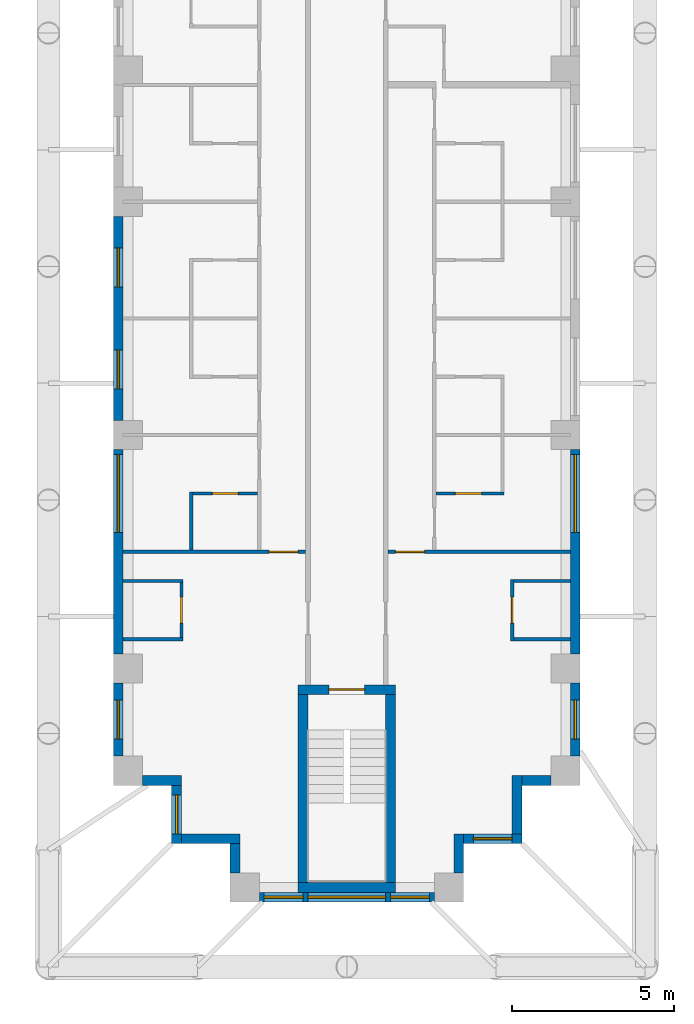
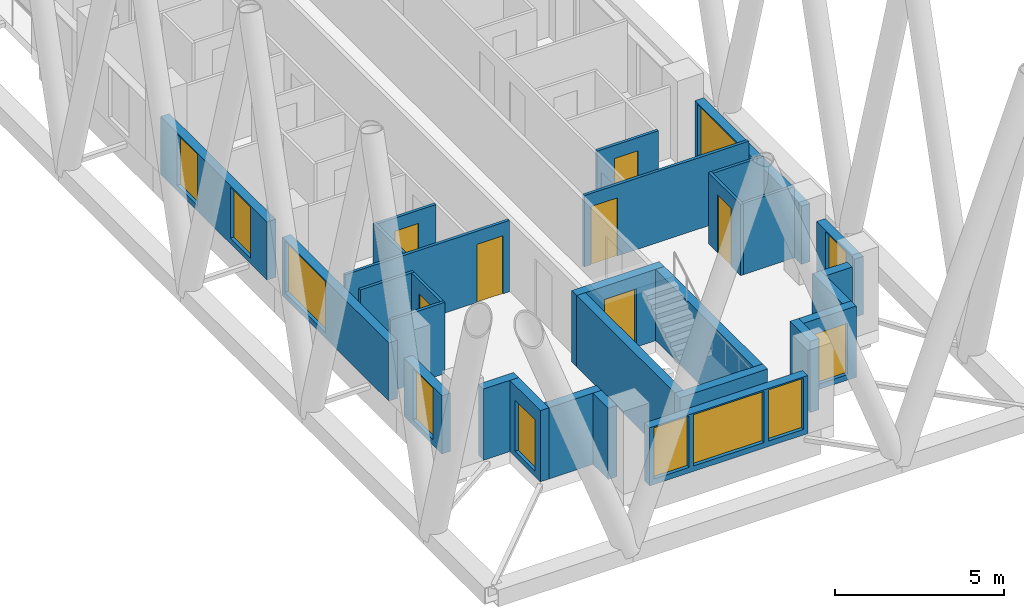
# One storey, part 4 of 16: 29 walls, 11 windows, 7 doors, 18 openings.
"""IFC4 building model written with IfcOpenShell, lengths in metres."""

from ifc_helpers import new_model, si_unit, direction, frame, frame_2d, origin, place, context, subcontext, project, spatial, rectangle, extrude, material, layer, layer_set, type_object, element, fill, save


model = new_model("IFC4")

# Units and contexts
model_context = context("Model", 3, precision=1e-05, world=origin(), true_north=direction((0.0, 1.0)))
body_context = subcontext(model_context, "Body", "Model", "MODEL_VIEW")
ifc_project = project(units=[si_unit("LENGTHUNIT", "METRE"), si_unit("AREAUNIT", "SQUARE_METRE"), si_unit("VOLUMEUNIT", "CUBIC_METRE"), si_unit("PLANEANGLEUNIT", "RADIAN"), si_unit("MASSUNIT", "GRAM", prefix="KILO")], contexts=[model_context])

# Site, building, storey
site_placement = place(None, origin())
site = spatial("IfcSite", under=ifc_project, at=site_placement, CompositionType="ELEMENT")
building_placement = place(site_placement, origin())
building = spatial("IfcBuilding", under=site, at=building_placement, Name="Fustian Cross Tower", CompositionType="ELEMENT")
storey_placement = place(building_placement, frame((0.0, 0.0, 66.89990234375)))
storey = spatial("IfcBuildingStorey", under=building, at=storey_placement, Name="L20", CompositionType="ELEMENT", Elevation=66.89990234375)

# Walls
ifc_material_1 = material(Name="Plasterboard on steel stud", Category="steel")
ifc_layer_1 = layer(ifc_material_1, 0.10009765625)
ifc_layer_set_1 = layer_set([ifc_layer_1], Name="Plasterboard on steel stud")
wall_type_1 = type_object("IfcWallType", Name="PARTITION 100 STUD", PredefinedType="PARTITIONING", material=ifc_layer_set_1)
for number, where, z_axis, x_axis, name in (
    (1, (-6.89990234375, -35.10009765625, 0.0), (0.0, 0.0, 1.0), (1.0, 0.0, 0.0), "Partition 18"),
    (2, (-6.89990234375, -33.300048828125, 0.0), (0.0, 0.0, 1.0), (1.0, 0.0, 0.0), "Partition 19"),
):
    element("IfcWall", number, at=place(storey_placement, frame(where, z_axis=z_axis, x_axis=x_axis)), inside=storey, type_object=wall_type_1, Name=name, PredefinedType="PARTITIONING", context=body_context, shape_type="SweptSolid", body=[
        extrude(rectangle(XDim=1.849853515625, YDim=0.10009765625, at=frame_2d((0.9248046875, 0.0))), origin(), (0.0, 0.0, 1.0), 2.5751953125),
    ])

# Wall, opening, door
wall_1_placement = place(storey_placement, frame((-6.89990234375, -32.39990234375, 0.0), z_axis=(0.0, 0.0, 1.0), x_axis=(1.0, 0.0, 0.0)))
wall_1 = element("IfcWall", 3, at=wall_1_placement, inside=storey, type_object=wall_type_1, Name="Partition 20", PredefinedType="PARTITIONING", context=body_context, shape_type="SweptSolid", body=[
    extrude(rectangle(XDim=5.625, YDim=0.10009765625, at=frame_2d((2.8125, 0.0))), origin(), (0.0, 0.0, 1.0), 2.5751953125),
])
opening_1_placement = place(wall_1_placement, frame((4.5, 0.0, 0.0)))
opening_1 = element("IfcOpeningElement", 4, at=opening_1_placement, cuts=wall_1, Name="Opening D11060", PredefinedType="OPENING", context=body_context, shape_type="SweptSolid", body=[
    extrude(rectangle(XDim=0.89990234375, YDim=2.10009765625, at=frame_2d((0.449951171875, 1.050048828125))), frame((0.0, 0.06005859375, 0.0), z_axis=(0.0, -1.0, 0.0), x_axis=(1.0, 0.0, 0.0)), (0.0, 0.0, 1.0), 0.1201171875),
])
ifc_material_2 = material(Name="Painted timber", Category="wood")
door_type_1 = type_object("IfcDoorType", Name="SWING DOOR 900", OperationType="SINGLE_SWING_LEFT", PredefinedType="DOOR", material=ifc_material_2)
door_1_placement = place(opening_1_placement, origin())
door_1 = element("IfcDoor", 5, at=door_1_placement, inside=storey, type_object=door_type_1, Name="Door D11060", OperationType="SINGLE_SWING_LEFT", OverallHeight=2.10009765625, OverallWidth=0.89990234375, PredefinedType="DOOR", context=body_context, shape_type="SweptSolid", body=[
    extrude(rectangle(XDim=0.89990234375, YDim=2.10009765625, at=frame_2d((0.449951171875, 1.050048828125))), frame((0.0, 0.02490234375, 0.0), z_axis=(0.0, -1.0, 0.0), x_axis=(1.0, 0.0, 0.0)), (0.0, 0.0, 1.0), 0.050048828125),
])
fill(opening_1, door_1)

wall_2_placement = place(storey_placement, frame((-5.10009765625, -35.050048828125, 0.0), z_axis=(0.0, 0.0, 1.0), x_axis=(0.0, 1.0, 0.0)))
wall_2 = element("IfcWall", 6, at=wall_2_placement, inside=storey, type_object=wall_type_1, Name="Partition 28", PredefinedType="PARTITIONING", context=body_context, shape_type="SweptSolid", body=[
    extrude(rectangle(XDim=1.699951171875, YDim=0.10009765625, at=frame_2d((0.85009765625, 0.0))), origin(), (0.0, 0.0, 1.0), 2.5751953125),
])
opening_2_placement = place(wall_2_placement, frame((0.449951171875, 0.0, 0.0)))
opening_2 = element("IfcOpeningElement", 7, at=opening_2_placement, cuts=wall_2, Name="Opening D11053", PredefinedType="OPENING", context=body_context, shape_type="SweptSolid", body=[
    extrude(rectangle(XDim=0.800048828125, YDim=2.10009765625, at=frame_2d((0.39990234375, 1.050048828125))), frame((0.0, 0.06005859375, 0.0), z_axis=(0.0, -1.0, 0.0), x_axis=(1.0, 0.0, 0.0)), (0.0, 0.0, 1.0), 0.1201171875),
])
ifc_material_3 = material(Name="Painted timber", Category="wood")
door_type_2 = type_object("IfcDoorType", Name="SWING DOOR 800", OperationType="SINGLE_SWING_LEFT", PredefinedType="DOOR", material=ifc_material_3)
door_2_placement = place(opening_2_placement, origin())
door_2 = element("IfcDoor", 8, at=door_2_placement, inside=storey, type_object=door_type_2, Name="Door D11053", OperationType="SINGLE_SWING_RIGHT", OverallHeight=2.10009765625, OverallWidth=0.800048828125, PredefinedType="DOOR", context=body_context, shape_type="SweptSolid", body=[
    extrude(rectangle(XDim=0.800048828125, YDim=2.10009765625, at=frame_2d((0.39990234375, 1.050048828125))), frame((0.0, 0.02490234375, 0.0), z_axis=(0.0, -1.0, 0.0), x_axis=(1.0, 0.0, 0.0)), (0.0, 0.0, 1.0), 0.050048828125),
])
fill(opening_2, door_2)

# Wall
wall_3_placement = place(storey_placement, frame((-4.800048828125, -32.35009765625, 0.0), z_axis=(0.0, 0.0, 1.0), x_axis=(0.0, 1.0, 0.0)))
element("IfcWall", 9, at=wall_3_placement, inside=storey, type_object=wall_type_1, Name="Partition 29", PredefinedType="PARTITIONING", context=body_context, shape_type="SweptSolid", body=[
    extrude(rectangle(XDim=1.800048828125, YDim=0.10009765625, at=frame_2d((0.89990234375, 0.0))), origin(), (0.0, 0.0, 1.0), 2.5751953125),
])

# Wall, opening, door
wall_4_placement = place(storey_placement, frame((-4.75, -30.60009765625, 0.0), z_axis=(0.0, 0.0, 1.0), x_axis=(1.0, 0.0, 0.0)))
wall_4 = element("IfcWall", 10, at=wall_4_placement, inside=storey, type_object=wall_type_1, Name="Partition 30", PredefinedType="PARTITIONING", context=body_context, shape_type="SweptSolid", body=[
    extrude(rectangle(XDim=2.0, YDim=0.10009765625, at=frame_2d((1.0, 0.0))), origin(), (0.0, 0.0, 1.0), 2.5751953125),
])
opening_3_placement = place(wall_4_placement, frame((0.60009765625, 0.0, 0.0)))
opening_3 = element("IfcOpeningElement", 11, at=opening_3_placement, cuts=wall_4, Name="Opening D11065", PredefinedType="OPENING", context=body_context, shape_type="SweptSolid", body=[
    extrude(rectangle(XDim=0.800048828125, YDim=2.10009765625, at=frame_2d((0.39990234375, 1.050048828125))), frame((0.0, 0.06005859375, 0.0), z_axis=(0.0, -1.0, 0.0), x_axis=(1.0, 0.0, 0.0)), (0.0, 0.0, 1.0), 0.1201171875),
])
door_3_placement = place(opening_3_placement, frame((0.800048828125, 0.0, 0.0), z_axis=(0.0, 0.0, 1.0), x_axis=(-1.0, 0.0, 0.0)))
door_3 = element("IfcDoor", 12, at=door_3_placement, inside=storey, type_object=door_type_2, Name="Door D11065", OperationType="SINGLE_SWING_RIGHT", OverallHeight=2.10009765625, OverallWidth=0.800048828125, PredefinedType="DOOR", context=body_context, shape_type="SweptSolid", body=[
    extrude(rectangle(XDim=0.800048828125, YDim=2.10009765625, at=frame_2d((0.39990234375, 1.050048828125))), frame((0.0, 0.02490234375, 0.0), z_axis=(0.0, -1.0, 0.0), x_axis=(1.0, 0.0, 0.0)), (0.0, 0.0, 1.0), 0.050048828125),
])
fill(opening_3, door_3)

wall_5_placement = place(storey_placement, frame((1.27490234375, -32.39990234375, 0.0), z_axis=(0.0, 0.0, 1.0), x_axis=(1.0, 0.0, 0.0)))
wall_5 = element("IfcWall", 13, at=wall_5_placement, inside=storey, type_object=wall_type_1, Name="Partition 53", PredefinedType="PARTITIONING", context=body_context, shape_type="SweptSolid", body=[
    extrude(rectangle(XDim=5.625, YDim=0.10009765625, at=frame_2d((2.8125, 0.0))), origin(), (0.0, 0.0, 1.0), 2.5751953125),
])
opening_4_placement = place(wall_5_placement, frame((0.22509765625, 0.0, 0.0)))
opening_4 = element("IfcOpeningElement", 14, at=opening_4_placement, cuts=wall_5, Name="Opening D11042", PredefinedType="OPENING", context=body_context, shape_type="SweptSolid", body=[
    extrude(rectangle(XDim=0.89990234375, YDim=2.10009765625, at=frame_2d((0.449951171875, 1.050048828125))), frame((0.0, 0.06005859375, 0.0), z_axis=(0.0, -1.0, 0.0), x_axis=(1.0, 0.0, 0.0)), (0.0, 0.0, 1.0), 0.1201171875),
])
door_4_placement = place(opening_4_placement, origin())
door_4 = element("IfcDoor", 15, at=door_4_placement, inside=storey, type_object=door_type_1, Name="Door D11042", OperationType="SINGLE_SWING_LEFT", OverallHeight=2.10009765625, OverallWidth=0.89990234375, PredefinedType="DOOR", context=body_context, shape_type="SweptSolid", body=[
    extrude(rectangle(XDim=0.89990234375, YDim=2.10009765625, at=frame_2d((0.449951171875, 1.050048828125))), frame((0.0, 0.02490234375, 0.0), z_axis=(0.0, -1.0, 0.0), x_axis=(1.0, 0.0, 0.0)), (0.0, 0.0, 1.0), 0.050048828125),
])
fill(opening_4, door_4)

wall_6_placement = place(storey_placement, frame((2.75, -30.60009765625, 0.0), z_axis=(0.0, 0.0, 1.0), x_axis=(1.0, 0.0, 0.0)))
wall_6 = element("IfcWall", 16, at=wall_6_placement, inside=storey, type_object=wall_type_1, Name="Partition 68", PredefinedType="PARTITIONING", context=body_context, shape_type="SweptSolid", body=[
    extrude(rectangle(XDim=2.10009765625, YDim=0.10009765625, at=frame_2d((1.050048828125, 0.0))), origin(), (0.0, 0.0, 1.0), 2.5751953125),
])
opening_5_placement = place(wall_6_placement, frame((0.60009765625, 0.0, 0.0)))
opening_5 = element("IfcOpeningElement", 17, at=opening_5_placement, cuts=wall_6, Name="Opening D11050", PredefinedType="OPENING", context=body_context, shape_type="SweptSolid", body=[
    extrude(rectangle(XDim=0.800048828125, YDim=2.10009765625, at=frame_2d((0.39990234375, 1.050048828125))), frame((0.0, 0.06005859375, 0.0), z_axis=(0.0, -1.0, 0.0), x_axis=(1.0, 0.0, 0.0)), (0.0, 0.0, 1.0), 0.1201171875),
])
door_5_placement = place(opening_5_placement, origin())
door_5 = element("IfcDoor", 18, at=door_5_placement, inside=storey, type_object=door_type_2, Name="Door D11050", OperationType="SINGLE_SWING_LEFT", OverallHeight=2.10009765625, OverallWidth=0.800048828125, PredefinedType="DOOR", context=body_context, shape_type="SweptSolid", body=[
    extrude(rectangle(XDim=0.800048828125, YDim=2.10009765625, at=frame_2d((0.39990234375, 1.050048828125))), frame((0.0, 0.02490234375, 0.0), z_axis=(0.0, -1.0, 0.0), x_axis=(1.0, 0.0, 0.0)), (0.0, 0.0, 1.0), 0.050048828125),
])
fill(opening_5, door_5)

wall_7_placement = place(storey_placement, frame((5.10009765625, -35.14990234375, 0.0), z_axis=(0.0, 0.0, 1.0), x_axis=(0.0, 1.0, 0.0)))
wall_7 = element("IfcWall", 19, at=wall_7_placement, inside=storey, type_object=wall_type_1, Name="Partition 80", PredefinedType="PARTITIONING", context=body_context, shape_type="SweptSolid", body=[
    extrude(rectangle(XDim=1.89990234375, YDim=0.10009765625, at=frame_2d((0.949951171875, 0.0))), origin(), (0.0, 0.0, 1.0), 2.5751953125),
])
opening_6_placement = place(wall_7_placement, frame((0.550048828125, 0.0, 0.0)))
opening_6 = element("IfcOpeningElement", 20, at=opening_6_placement, cuts=wall_7, Name="Opening D11040", PredefinedType="OPENING", context=body_context, shape_type="SweptSolid", body=[
    extrude(rectangle(XDim=0.800048828125, YDim=2.10009765625, at=frame_2d((0.39990234375, 1.050048828125))), frame((0.0, 0.06005859375, 0.0), z_axis=(0.0, -1.0, 0.0), x_axis=(1.0, 0.0, 0.0)), (0.0, 0.0, 1.0), 0.1201171875),
])
door_6_placement = place(opening_6_placement, frame((0.800048828125, 0.0, 0.0), z_axis=(0.0, 0.0, 1.0), x_axis=(-1.0, 0.0, 0.0)))
door_6 = element("IfcDoor", 21, at=door_6_placement, inside=storey, type_object=door_type_2, Name="Door D11040", OperationType="SINGLE_SWING_LEFT", OverallHeight=2.10009765625, OverallWidth=0.800048828125, PredefinedType="DOOR", context=body_context, shape_type="SweptSolid", body=[
    extrude(rectangle(XDim=0.800048828125, YDim=2.10009765625, at=frame_2d((0.39990234375, 1.050048828125))), frame((0.0, 0.02490234375, 0.0), z_axis=(0.0, -1.0, 0.0), x_axis=(1.0, 0.0, 0.0)), (0.0, 0.0, 1.0), 0.050048828125),
])
fill(opening_6, door_6)

# Walls
for number, where, z_axis, x_axis, name in (
    (22, (5.14990234375, -35.10009765625, 0.0), (0.0, 0.0, 1.0), (1.0, 0.0, 0.0), "Partition 81"),
    (23, (5.14990234375, -33.300048828125, 0.0), (0.0, 0.0, 1.0), (1.0, 0.0, 0.0), "Partition 82"),
):
    element("IfcWall", number, at=place(storey_placement, frame(where, z_axis=z_axis, x_axis=x_axis)), inside=storey, type_object=wall_type_1, Name=name, PredefinedType="PARTITIONING", context=body_context, shape_type="SweptSolid", body=[
        extrude(rectangle(XDim=1.75, YDim=0.10009765625, at=frame_2d((0.875, 0.0))), origin(), (0.0, 0.0, 1.0), 2.5751953125),
    ])

# Wall, opening, door
ifc_material_4 = material(Name="Concrete C50/60", Category="concrete")
ifc_layer_2 = layer(ifc_material_4, 0.300048828125)
ifc_layer_set_2 = layer_set([ifc_layer_2], Name="Concrete C50/60")
wall_type_2 = type_object("IfcWallType", Name="STAIR ENCLOSURE WALL 300 C50/60", PredefinedType="SHEAR", material=ifc_layer_set_2)
wall_8_placement = place(storey_placement, frame((-1.5, -36.64990234375, 0.0), z_axis=(0.0, 0.0, 1.0), x_axis=(1.0, 0.0, 0.0)))
wall_8 = element("IfcWall", 24, at=wall_8_placement, inside=storey, type_object=wall_type_2, Name="Stair enclosure wall", PredefinedType="SHEAR", context=body_context, shape_type="SweptSolid", body=[
    extrude(rectangle(XDim=3.0, YDim=0.300048828125, at=frame_2d((1.5, 0.0))), origin(), (0.0, 0.0, 1.0), 2.5751953125),
])
opening_7_placement = place(wall_8_placement, frame((0.949951171875, 0.0, 0.0)))
opening_7 = element("IfcOpeningElement", 25, at=opening_7_placement, cuts=wall_8, Name="Opening CD-09-29", PredefinedType="OPENING", context=body_context, shape_type="SweptSolid", body=[
    extrude(rectangle(XDim=1.10009765625, YDim=2.10009765625, at=frame_2d((0.550048828125, 1.050048828125))), frame((0.0, 0.159912109375, 0.0), z_axis=(0.0, -1.0, 0.0), x_axis=(1.0, 0.0, 0.0)), (0.0, 0.0, 1.0), 0.320068359375),
])
ifc_material_5 = material(Name="Steel", Category="steel")
door_type_3 = type_object("IfcDoorType", Name="FIRE DOOR FD60S 1100X2100", OperationType="SINGLE_SWING_LEFT", PredefinedType="DOOR", material=ifc_material_5)
door_7_placement = place(opening_7_placement, frame((1.10009765625, 0.0, 0.0), z_axis=(0.0, 0.0, 1.0), x_axis=(-1.0, 0.0, 0.0)))
door_7 = element("IfcDoor", 26, at=door_7_placement, inside=storey, type_object=door_type_3, Name="Core door CD-09-29", OperationType="SINGLE_SWING_RIGHT", OverallHeight=2.10009765625, OverallWidth=1.10009765625, PredefinedType="DOOR", context=body_context, shape_type="SweptSolid", body=[
    extrude(rectangle(XDim=1.10009765625, YDim=2.10009765625, at=frame_2d((0.550048828125, 1.050048828125))), frame((0.0, 0.02490234375, 0.0), z_axis=(0.0, -1.0, 0.0), x_axis=(1.0, 0.0, 0.0)), (0.0, 0.0, 1.0), 0.050048828125),
])
fill(opening_7, door_7)

# Walls
wall_9_placement = place(storey_placement, frame((-1.5, -42.75, 0.0), z_axis=(0.0, 0.0, 1.0), x_axis=(1.0, 0.0, 0.0)))
element("IfcWall", 27, at=wall_9_placement, inside=storey, type_object=wall_type_2, Name="Stair enclosure wall", PredefinedType="SHEAR", context=body_context, shape_type="SweptSolid", body=[
    extrude(rectangle(XDim=3.0, YDim=0.300048828125, at=frame_2d((1.5, 0.0))), origin(), (0.0, 0.0, 1.0), 2.5751953125),
])
for number, where, z_axis, x_axis, name in (
    (28, (-1.35009765625, -36.800048828125, 0.0), (0.0, 0.0, 1.0), (0.0, -1.0, 0.0), "Stair enclosure wall"),
    (29, (1.35009765625, -36.800048828125, 0.0), (0.0, 0.0, 1.0), (0.0, -1.0, 0.0), "Stair enclosure wall"),
):
    element("IfcWall", number, at=place(storey_placement, frame(where, z_axis=z_axis, x_axis=x_axis)), inside=storey, type_object=wall_type_2, Name=name, PredefinedType="SHEAR", context=body_context, shape_type="SweptSolid", body=[
        extrude(rectangle(XDim=5.800048828125, YDim=0.300048828125, at=frame_2d((2.89990234375, 0.0))), origin(), (0.0, 0.0, 1.0), 2.5751953125),
    ])

# Wall, openings, windows
ifc_material_6 = material(Name="Dark aluminium cladding on insulated backing wall", Category="aluminium")
ifc_layer_3 = layer(ifc_material_6, 0.300048828125)
ifc_layer_set_3 = layer_set([ifc_layer_3], Name="Dark aluminium cladding on insulated backing wall")
wall_type_3 = type_object("IfcWallType", Name="XW1 EXTERNAL WALL 300", PredefinedType="SOLIDWALL", material=ifc_layer_set_3)
wall_10_placement = place(storey_placement, frame((-7.050048828125, -22.050048828125, 0.0), z_axis=(0.0, 0.0, 1.0), x_axis=(0.0, -1.0, 0.0)))
wall_10 = element("IfcWall", 30, at=wall_10_placement, inside=storey, type_object=wall_type_3, Name="External wall", PredefinedType="SOLIDWALL", context=body_context, shape_type="SweptSolid", body=[
    extrude(rectangle(XDim=6.300048828125, YDim=0.300048828125, at=frame_2d((3.14990234375, 0.0))), origin(), (0.0, 0.0, 1.0), 2.10009765625),
])
opening_8_placement = place(wall_10_placement, frame((0.97509765625, 0.0, 0.199951171875)))
opening_8 = element("IfcOpeningElement", 31, at=opening_8_placement, cuts=wall_10, Name="Opening WN3", PredefinedType="OPENING", context=body_context, shape_type="SweptSolid", body=[
    extrude(rectangle(XDim=1.199951171875, YDim=1.85009765625, at=frame_2d((0.60009765625, 0.925048828125))), frame((0.0, 0.159912109375, 0.0), z_axis=(0.0, -1.0, 0.0), x_axis=(1.0, 0.0, 0.0)), (0.0, 0.0, 1.0), 0.320068359375),
])
opening_9_placement = place(wall_10_placement, frame((4.125, 0.0, 0.199951171875)))
opening_9 = element("IfcOpeningElement", 32, at=opening_9_placement, cuts=wall_10, Name="Opening WN3", PredefinedType="OPENING", context=body_context, shape_type="SweptSolid", body=[
    extrude(rectangle(XDim=1.199951171875, YDim=1.85009765625, at=frame_2d((0.60009765625, 0.925048828125))), frame((0.0, 0.159912109375, 0.0), z_axis=(0.0, -1.0, 0.0), x_axis=(1.0, 0.0, 0.0)), (0.0, 0.0, 1.0), 0.320068359375),
])
ifc_material_7 = material(Name="Dark anodised aluminium and double glazing", Category="aluminium")
window_type_1 = type_object("IfcWindowType", Name="WN3 WINDOW 1200X1850", PartitioningType="SINGLE_PANEL", PredefinedType="WINDOW", material=ifc_material_7)
window_1_placement = place(opening_8_placement, origin())
window_1 = element("IfcWindow", 33, at=window_1_placement, inside=storey, type_object=window_type_1, Name="Window", OverallHeight=1.85009765625, OverallWidth=1.199951171875, PartitioningType="SINGLE_PANEL", PredefinedType="WINDOW", context=body_context, shape_type="SweptSolid", body=[
    extrude(rectangle(XDim=1.199951171875, YDim=1.85009765625, at=frame_2d((0.60009765625, 0.925048828125))), frame((0.0, 0.030029296875, 0.0), z_axis=(0.0, -1.0, 0.0), x_axis=(1.0, 0.0, 0.0)), (0.0, 0.0, 1.0), 0.06005859375),
])
fill(opening_8, window_1)
window_2_placement = place(opening_9_placement, origin())
window_2 = element("IfcWindow", 34, at=window_2_placement, inside=storey, type_object=window_type_1, Name="Window", OverallHeight=1.85009765625, OverallWidth=1.199951171875, PartitioningType="SINGLE_PANEL", PredefinedType="WINDOW", context=body_context, shape_type="SweptSolid", body=[
    extrude(rectangle(XDim=1.199951171875, YDim=1.85009765625, at=frame_2d((0.60009765625, 0.925048828125))), frame((0.0, 0.030029296875, 0.0), z_axis=(0.0, -1.0, 0.0), x_axis=(1.0, 0.0, 0.0)), (0.0, 0.0, 1.0), 0.06005859375),
])
fill(opening_9, window_2)

# Wall, opening, window
wall_11_placement = place(storey_placement, frame((-7.050048828125, -29.25, 0.0), z_axis=(0.0, 0.0, 1.0), x_axis=(0.0, -1.0, 0.0)))
wall_11 = element("IfcWall", 35, at=wall_11_placement, inside=storey, type_object=wall_type_3, Name="External wall", PredefinedType="SOLIDWALL", context=body_context, shape_type="SweptSolid", body=[
    extrude(rectangle(XDim=6.300048828125, YDim=0.300048828125, at=frame_2d((3.14990234375, 0.0))), origin(), (0.0, 0.0, 1.0), 2.10009765625),
])
opening_10_placement = place(wall_11_placement, frame((0.14990234375, 0.0, 0.199951171875)))
opening_10 = element("IfcOpeningElement", 36, at=opening_10_placement, cuts=wall_11, Name="Opening WN1", PredefinedType="OPENING", context=body_context, shape_type="SweptSolid", body=[
    extrude(rectangle(XDim=2.39990234375, YDim=1.85009765625, at=frame_2d((1.199951171875, 0.925048828125))), frame((0.0, 0.159912109375, 0.0), z_axis=(0.0, -1.0, 0.0), x_axis=(1.0, 0.0, 0.0)), (0.0, 0.0, 1.0), 0.320068359375),
])
ifc_material_8 = material(Name="Dark anodised aluminium and double glazing", Category="aluminium")
window_type_2 = type_object("IfcWindowType", Name="WN1 WINDOW 2400X1850", PartitioningType="SINGLE_PANEL", PredefinedType="WINDOW", material=ifc_material_8)
window_3_placement = place(opening_10_placement, origin())
window_3 = element("IfcWindow", 37, at=window_3_placement, inside=storey, type_object=window_type_2, Name="Window", OverallHeight=1.85009765625, OverallWidth=2.39990234375, PartitioningType="SINGLE_PANEL", PredefinedType="WINDOW", context=body_context, shape_type="SweptSolid", body=[
    extrude(rectangle(XDim=2.39990234375, YDim=1.85009765625, at=frame_2d((1.199951171875, 0.925048828125))), frame((0.0, 0.030029296875, 0.0), z_axis=(0.0, -1.0, 0.0), x_axis=(1.0, 0.0, 0.0)), (0.0, 0.0, 1.0), 0.06005859375),
])
fill(opening_10, window_3)

wall_12_placement = place(storey_placement, frame((-7.050048828125, -36.449951171875, 0.0), z_axis=(0.0, 0.0, 1.0), x_axis=(0.0, -1.0, 0.0)))
wall_12 = element("IfcWall", 38, at=wall_12_placement, inside=storey, type_object=wall_type_3, Name="External wall", PredefinedType="SOLIDWALL", context=body_context, shape_type="SweptSolid", body=[
    extrude(rectangle(XDim=2.25, YDim=0.300048828125, at=frame_2d((1.125, 0.0))), origin(), (0.0, 0.0, 1.0), 2.10009765625),
])
opening_11_placement = place(wall_12_placement, frame((0.52490234375, 0.0, 0.199951171875)))
opening_11 = element("IfcOpeningElement", 39, at=opening_11_placement, cuts=wall_12, Name="Opening WN3", PredefinedType="OPENING", context=body_context, shape_type="SweptSolid", body=[
    extrude(rectangle(XDim=1.199951171875, YDim=1.85009765625, at=frame_2d((0.60009765625, 0.925048828125))), frame((0.0, 0.159912109375, 0.0), z_axis=(0.0, -1.0, 0.0), x_axis=(1.0, 0.0, 0.0)), (0.0, 0.0, 1.0), 0.320068359375),
])
window_4_placement = place(opening_11_placement, origin())
window_4 = element("IfcWindow", 40, at=window_4_placement, inside=storey, type_object=window_type_1, Name="Window", OverallHeight=1.85009765625, OverallWidth=1.199951171875, PartitioningType="SINGLE_PANEL", PredefinedType="WINDOW", context=body_context, shape_type="SweptSolid", body=[
    extrude(rectangle(XDim=1.199951171875, YDim=1.85009765625, at=frame_2d((0.60009765625, 0.925048828125))), frame((0.0, 0.030029296875, 0.0), z_axis=(0.0, -1.0, 0.0), x_axis=(1.0, 0.0, 0.0)), (0.0, 0.0, 1.0), 0.06005859375),
])
fill(opening_11, window_4)

# Wall
wall_13_placement = place(storey_placement, frame((-6.300048828125, -39.449951171875, 0.0), z_axis=(0.0, 0.0, 1.0), x_axis=(1.0, 0.0, 0.0)))
element("IfcWall", 41, at=wall_13_placement, inside=storey, type_object=wall_type_3, Name="External wall", PredefinedType="SOLIDWALL", context=body_context, shape_type="SweptSolid", body=[
    extrude(rectangle(XDim=1.199951171875, YDim=0.300048828125, at=frame_2d((0.60009765625, 0.0))), origin(), (0.0, 0.0, 1.0), 2.5751953125),
])

# Wall, opening, window
wall_14_placement = place(storey_placement, frame((-5.25, -39.60009765625, 0.0), z_axis=(0.0, 0.0, 1.0), x_axis=(0.0, -1.0, 0.0)))
wall_14 = element("IfcWall", 42, at=wall_14_placement, inside=storey, type_object=wall_type_3, Name="External wall", PredefinedType="SOLIDWALL", context=body_context, shape_type="SweptSolid", body=[
    extrude(rectangle(XDim=1.7998046875, YDim=0.300048828125, at=frame_2d((0.89990234375, 0.0))), origin(), (0.0, 0.0, 1.0), 2.5751953125),
])
opening_12_placement = place(wall_14_placement, frame((0.300048828125, 0.0, 0.199951171875)))
opening_12 = element("IfcOpeningElement", 43, at=opening_12_placement, cuts=wall_14, Name="Opening WN3", PredefinedType="OPENING", context=body_context, shape_type="SweptSolid", body=[
    extrude(rectangle(XDim=1.199951171875, YDim=1.85009765625, at=frame_2d((0.60009765625, 0.925048828125))), frame((0.0, 0.159912109375, 0.0), z_axis=(0.0, -1.0, 0.0), x_axis=(1.0, 0.0, 0.0)), (0.0, 0.0, 1.0), 0.320068359375),
])
window_5_placement = place(opening_12_placement, origin())
window_5 = element("IfcWindow", 44, at=window_5_placement, inside=storey, type_object=window_type_1, Name="Window", OverallHeight=1.85009765625, OverallWidth=1.199951171875, PartitioningType="SINGLE_PANEL", PredefinedType="WINDOW", context=body_context, shape_type="SweptSolid", body=[
    extrude(rectangle(XDim=1.199951171875, YDim=1.85009765625, at=frame_2d((0.60009765625, 0.925048828125))), frame((0.0, 0.030029296875, 0.0), z_axis=(0.0, -1.0, 0.0), x_axis=(1.0, 0.0, 0.0)), (0.0, 0.0, 1.0), 0.06005859375),
])
fill(opening_12, window_5)

# Walls
wall_15_placement = place(storey_placement, frame((-5.10009765625, -41.25, 0.0), z_axis=(0.0, 0.0, 1.0), x_axis=(1.0, 0.0, 0.0)))
element("IfcWall", 45, at=wall_15_placement, inside=storey, type_object=wall_type_3, Name="External wall", PredefinedType="SOLIDWALL", context=body_context, shape_type="SweptSolid", body=[
    extrude(rectangle(XDim=1.800048828125, YDim=0.300048828125, at=frame_2d((0.89990234375, 0.0))), origin(), (0.0, 0.0, 1.0), 2.5751953125),
])
wall_16_placement = place(storey_placement, frame((-3.449951171875, -41.39990234375, 0.0), z_axis=(0.0, 0.0, 1.0), x_axis=(0.0, -1.0, 0.0)))
element("IfcWall", 46, at=wall_16_placement, inside=storey, type_object=wall_type_3, Name="External wall", PredefinedType="SOLIDWALL", context=body_context, shape_type="SweptSolid", body=[
    extrude(rectangle(XDim=0.900146484375, YDim=0.300048828125, at=frame_2d((0.4501953125, 0.0))), origin(), (0.0, 0.0, 1.0), 2.5751953125),
])

# Wall, openings, windows
wall_17_placement = place(storey_placement, frame((-2.699951171875, -43.050048828125, 0.0), z_axis=(0.0, 0.0, 1.0), x_axis=(1.0, 0.0, 0.0)))
wall_17 = element("IfcWall", 47, at=wall_17_placement, inside=storey, type_object=wall_type_3, Name="External wall", PredefinedType="SOLIDWALL", context=body_context, shape_type="SweptSolid", body=[
    extrude(rectangle(XDim=5.39990234375, YDim=0.300048828125, at=frame_2d((2.699951171875, 0.0))), origin(), (0.0, 0.0, 1.0), 2.10009765625),
])
opening_13_placement = place(wall_17_placement, frame((1.5, 0.0, 0.199951171875)))
opening_13 = element("IfcOpeningElement", 48, at=opening_13_placement, cuts=wall_17, Name="Opening WN1", PredefinedType="OPENING", context=body_context, shape_type="SweptSolid", body=[
    extrude(rectangle(XDim=2.39990234375, YDim=1.85009765625, at=frame_2d((1.199951171875, 0.925048828125))), frame((0.0, 0.159912109375, 0.0), z_axis=(0.0, -1.0, 0.0), x_axis=(1.0, 0.0, 0.0)), (0.0, 0.0, 1.0), 0.320068359375),
])
opening_14_placement = place(wall_17_placement, frame((0.14990234375, 0.0, 0.199951171875)))
opening_14 = element("IfcOpeningElement", 49, at=opening_14_placement, cuts=wall_17, Name="Opening WN3", PredefinedType="OPENING", context=body_context, shape_type="SweptSolid", body=[
    extrude(rectangle(XDim=1.199951171875, YDim=1.85009765625, at=frame_2d((0.60009765625, 0.925048828125))), frame((0.0, 0.159912109375, 0.0), z_axis=(0.0, -1.0, 0.0), x_axis=(1.0, 0.0, 0.0)), (0.0, 0.0, 1.0), 0.320068359375),
])
opening_15_placement = place(wall_17_placement, frame((4.050048828125, 0.0, 0.199951171875)))
opening_15 = element("IfcOpeningElement", 50, at=opening_15_placement, cuts=wall_17, Name="Opening WN3", PredefinedType="OPENING", context=body_context, shape_type="SweptSolid", body=[
    extrude(rectangle(XDim=1.199951171875, YDim=1.85009765625, at=frame_2d((0.60009765625, 0.925048828125))), frame((0.0, 0.159912109375, 0.0), z_axis=(0.0, -1.0, 0.0), x_axis=(1.0, 0.0, 0.0)), (0.0, 0.0, 1.0), 0.320068359375),
])
window_6_placement = place(opening_13_placement, origin())
window_6 = element("IfcWindow", 51, at=window_6_placement, inside=storey, type_object=window_type_2, Name="Window", OverallHeight=1.85009765625, OverallWidth=2.39990234375, PartitioningType="SINGLE_PANEL", PredefinedType="WINDOW", context=body_context, shape_type="SweptSolid", body=[
    extrude(rectangle(XDim=2.39990234375, YDim=1.85009765625, at=frame_2d((1.199951171875, 0.925048828125))), frame((0.0, 0.030029296875, 0.0), z_axis=(0.0, -1.0, 0.0), x_axis=(1.0, 0.0, 0.0)), (0.0, 0.0, 1.0), 0.06005859375),
])
fill(opening_13, window_6)
window_7_placement = place(opening_14_placement, origin())
window_7 = element("IfcWindow", 52, at=window_7_placement, inside=storey, type_object=window_type_1, Name="Window", OverallHeight=1.85009765625, OverallWidth=1.199951171875, PartitioningType="SINGLE_PANEL", PredefinedType="WINDOW", context=body_context, shape_type="SweptSolid", body=[
    extrude(rectangle(XDim=1.199951171875, YDim=1.85009765625, at=frame_2d((0.60009765625, 0.925048828125))), frame((0.0, 0.030029296875, 0.0), z_axis=(0.0, -1.0, 0.0), x_axis=(1.0, 0.0, 0.0)), (0.0, 0.0, 1.0), 0.06005859375),
])
fill(opening_14, window_7)
window_8_placement = place(opening_15_placement, origin())
window_8 = element("IfcWindow", 53, at=window_8_placement, inside=storey, type_object=window_type_1, Name="Window", OverallHeight=1.85009765625, OverallWidth=1.199951171875, PartitioningType="SINGLE_PANEL", PredefinedType="WINDOW", context=body_context, shape_type="SweptSolid", body=[
    extrude(rectangle(XDim=1.199951171875, YDim=1.85009765625, at=frame_2d((0.60009765625, 0.925048828125))), frame((0.0, 0.030029296875, 0.0), z_axis=(0.0, -1.0, 0.0), x_axis=(1.0, 0.0, 0.0)), (0.0, 0.0, 1.0), 0.06005859375),
])
fill(opening_15, window_8)

# Wall
wall_18_placement = place(storey_placement, frame((3.449951171875, -42.300048828125, 0.0), z_axis=(0.0, 0.0, 1.0), x_axis=(0.0, 1.0, 0.0)))
element("IfcWall", 54, at=wall_18_placement, inside=storey, type_object=wall_type_3, Name="External wall", PredefinedType="SOLIDWALL", context=body_context, shape_type="SweptSolid", body=[
    extrude(rectangle(XDim=1.199951171875, YDim=0.300048828125, at=frame_2d((0.60009765625, 0.0))), origin(), (0.0, 0.0, 1.0), 2.5751953125),
])

# Wall, opening, window
wall_19_placement = place(storey_placement, frame((3.60009765625, -41.25, 0.0), z_axis=(0.0, 0.0, 1.0), x_axis=(1.0, 0.0, 0.0)))
wall_19 = element("IfcWall", 55, at=wall_19_placement, inside=storey, type_object=wall_type_3, Name="External wall", PredefinedType="SOLIDWALL", context=body_context, shape_type="SweptSolid", body=[
    extrude(rectangle(XDim=1.7998046875, YDim=0.300048828125, at=frame_2d((0.89990234375, 0.0))), origin(), (0.0, 0.0, 1.0), 2.5751953125),
])
opening_16_placement = place(wall_19_placement, frame((0.300048828125, 0.0, 0.199951171875)))
opening_16 = element("IfcOpeningElement", 56, at=opening_16_placement, cuts=wall_19, Name="Opening WN3", PredefinedType="OPENING", context=body_context, shape_type="SweptSolid", body=[
    extrude(rectangle(XDim=1.199951171875, YDim=1.85009765625, at=frame_2d((0.60009765625, 0.925048828125))), frame((0.0, 0.159912109375, 0.0), z_axis=(0.0, -1.0, 0.0), x_axis=(1.0, 0.0, 0.0)), (0.0, 0.0, 1.0), 0.320068359375),
])
window_9_placement = place(opening_16_placement, origin())
window_9 = element("IfcWindow", 57, at=window_9_placement, inside=storey, type_object=window_type_1, Name="Window", OverallHeight=1.85009765625, OverallWidth=1.199951171875, PartitioningType="SINGLE_PANEL", PredefinedType="WINDOW", context=body_context, shape_type="SweptSolid", body=[
    extrude(rectangle(XDim=1.199951171875, YDim=1.85009765625, at=frame_2d((0.60009765625, 0.925048828125))), frame((0.0, 0.030029296875, 0.0), z_axis=(0.0, -1.0, 0.0), x_axis=(1.0, 0.0, 0.0)), (0.0, 0.0, 1.0), 0.06005859375),
])
fill(opening_16, window_9)

# Walls
wall_20_placement = place(storey_placement, frame((5.25, -41.10009765625, 0.0), z_axis=(0.0, 0.0, 1.0), x_axis=(0.0, 1.0, 0.0)))
element("IfcWall", 58, at=wall_20_placement, inside=storey, type_object=wall_type_3, Name="External wall", PredefinedType="SOLIDWALL", context=body_context, shape_type="SweptSolid", body=[
    extrude(rectangle(XDim=1.800048828125, YDim=0.300048828125, at=frame_2d((0.89990234375, 0.0))), origin(), (0.0, 0.0, 1.0), 2.5751953125),
])
wall_21_placement = place(storey_placement, frame((5.39990234375, -39.449951171875, 0.0), z_axis=(0.0, 0.0, 1.0), x_axis=(1.0, 0.0, 0.0)))
element("IfcWall", 59, at=wall_21_placement, inside=storey, type_object=wall_type_3, Name="External wall", PredefinedType="SOLIDWALL", context=body_context, shape_type="SweptSolid", body=[
    extrude(rectangle(XDim=0.900146484375, YDim=0.300048828125, at=frame_2d((0.4501953125, 0.0))), origin(), (0.0, 0.0, 1.0), 2.5751953125),
])

# Wall, opening, window
wall_22_placement = place(storey_placement, frame((7.050048828125, -38.699951171875, 0.0), z_axis=(0.0, 0.0, 1.0), x_axis=(0.0, 1.0, 0.0)))
wall_22 = element("IfcWall", 60, at=wall_22_placement, inside=storey, type_object=wall_type_3, Name="External wall", PredefinedType="SOLIDWALL", context=body_context, shape_type="SweptSolid", body=[
    extrude(rectangle(XDim=2.25, YDim=0.300048828125, at=frame_2d((1.125, 0.0))), origin(), (0.0, 0.0, 1.0), 2.10009765625),
])
opening_17_placement = place(wall_22_placement, frame((0.52490234375, 0.0, 0.199951171875)))
opening_17 = element("IfcOpeningElement", 61, at=opening_17_placement, cuts=wall_22, Name="Opening WN3", PredefinedType="OPENING", context=body_context, shape_type="SweptSolid", body=[
    extrude(rectangle(XDim=1.199951171875, YDim=1.85009765625, at=frame_2d((0.60009765625, 0.925048828125))), frame((0.0, 0.159912109375, 0.0), z_axis=(0.0, -1.0, 0.0), x_axis=(1.0, 0.0, 0.0)), (0.0, 0.0, 1.0), 0.320068359375),
])
window_10_placement = place(opening_17_placement, origin())
window_10 = element("IfcWindow", 62, at=window_10_placement, inside=storey, type_object=window_type_1, Name="Window", OverallHeight=1.85009765625, OverallWidth=1.199951171875, PartitioningType="SINGLE_PANEL", PredefinedType="WINDOW", context=body_context, shape_type="SweptSolid", body=[
    extrude(rectangle(XDim=1.199951171875, YDim=1.85009765625, at=frame_2d((0.60009765625, 0.925048828125))), frame((0.0, 0.030029296875, 0.0), z_axis=(0.0, -1.0, 0.0), x_axis=(1.0, 0.0, 0.0)), (0.0, 0.0, 1.0), 0.06005859375),
])
fill(opening_17, window_10)

wall_23_placement = place(storey_placement, frame((7.050048828125, -35.550048828125, 0.0), z_axis=(0.0, 0.0, 1.0), x_axis=(0.0, 1.0, 0.0)))
wall_23 = element("IfcWall", 63, at=wall_23_placement, inside=storey, type_object=wall_type_3, Name="External wall", PredefinedType="SOLIDWALL", context=body_context, shape_type="SweptSolid", body=[
    extrude(rectangle(XDim=6.300048828125, YDim=0.300048828125, at=frame_2d((3.14990234375, 0.0))), origin(), (0.0, 0.0, 1.0), 2.10009765625),
])
opening_18_placement = place(wall_23_placement, frame((3.75, 0.0, 0.199951171875)))
opening_18 = element("IfcOpeningElement", 64, at=opening_18_placement, cuts=wall_23, Name="Opening WN1", PredefinedType="OPENING", context=body_context, shape_type="SweptSolid", body=[
    extrude(rectangle(XDim=2.39990234375, YDim=1.85009765625, at=frame_2d((1.199951171875, 0.925048828125))), frame((0.0, 0.159912109375, 0.0), z_axis=(0.0, -1.0, 0.0), x_axis=(1.0, 0.0, 0.0)), (0.0, 0.0, 1.0), 0.320068359375),
])
window_11_placement = place(opening_18_placement, origin())
window_11 = element("IfcWindow", 65, at=window_11_placement, inside=storey, type_object=window_type_2, Name="Window", OverallHeight=1.85009765625, OverallWidth=2.39990234375, PartitioningType="SINGLE_PANEL", PredefinedType="WINDOW", context=body_context, shape_type="SweptSolid", body=[
    extrude(rectangle(XDim=2.39990234375, YDim=1.85009765625, at=frame_2d((1.199951171875, 0.925048828125))), frame((0.0, 0.030029296875, 0.0), z_axis=(0.0, -1.0, 0.0), x_axis=(1.0, 0.0, 0.0)), (0.0, 0.0, 1.0), 0.06005859375),
])
fill(opening_18, window_11)

save(model, "model.ifc")
